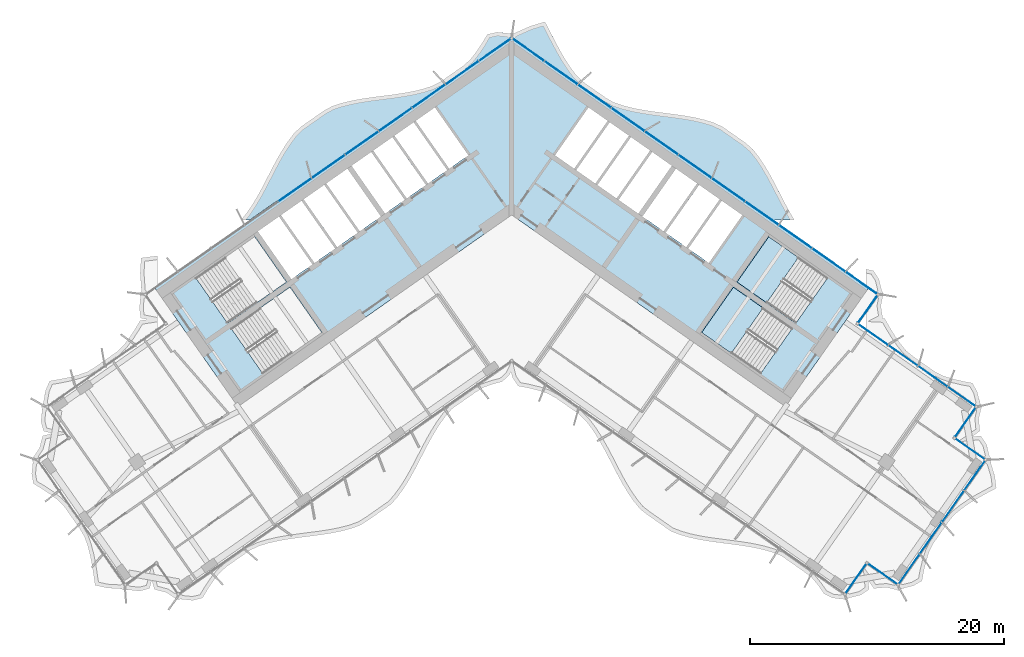
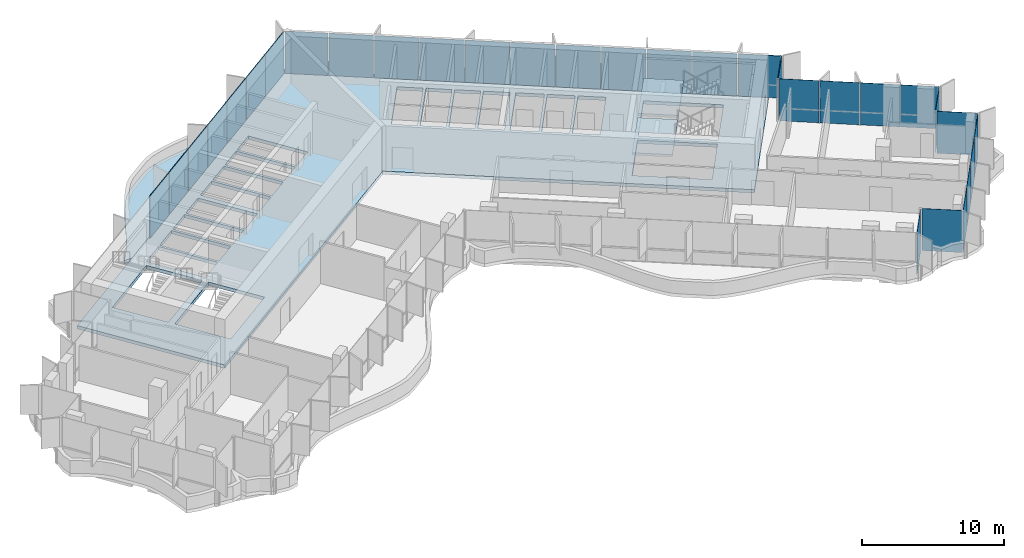
# One storey, part 13 of 23: 31 plates, 4 slabs, 4 elements without a shape of their own.
"""IFC4 building model written with IfcOpenShell, lengths in metres."""

import ifcopenshell
import ifcopenshell.guid

model = None  # the IFC model being written
_history = None  # IfcOwnerHistory: only IFC2X3 demands one
_inside = {}  # id of a spatial element -> (the spatial element, [elements in it])
_under = {}  # id of a project, library or spatial element -> (it, [spatial elements below it])
_declared = {}  # id of a project -> (the project, [libraries it declares])
_typed = {}  # id of a type object -> (the type object, [elements of that type])
_made_of = {}  # id of a material, layer set ... -> (it, [elements and type objects made of it])


def new_model(schema):
    """Start an empty IFC model of exactly this schema.

    Asked for "IFC4X3", IfcOpenShell would pick the latest addendum, in which some entities
    have other attributes; the version numbers below select the first issue.
    IFC2X3 requires an IfcOwnerHistory on every rooted entity: one is made here for all.
    """
    global model, _history
    if schema == "IFC4X3":
        model = ifcopenshell.file(schema_version=(4, 3, 0, 0))
    else:
        model = ifcopenshell.file(schema=schema)
    _inside.clear()
    _under.clear()
    _declared.clear()
    _typed.clear()
    _made_of.clear()
    _history = None
    if model.schema == "IFC2X3":
        org = make("IfcOrganization", Name="unknown")
        user = make(
            "IfcPersonAndOrganization",
            ThePerson=make("IfcPerson", FamilyName="unknown"),
            TheOrganization=org,
        )
        app = make(
            "IfcApplication",
            ApplicationDeveloper=org,
            Version="unknown",
            ApplicationFullName="unknown",
            ApplicationIdentifier="unknown",
        )
        _history = make(
            "IfcOwnerHistory",
            OwningUser=user,
            OwningApplication=app,
            ChangeAction="ADDED",
            CreationDate=0,
        )
    return model


def make(cls, **values):
    """One entity of the class cls with the attributes given. An attribute that is None is left unset."""
    return model.create_entity(
        cls, **{name: value for name, value in values.items() if value is not None}
    )


def rooted(cls, **values):
    """An entity with a GlobalId (a new one), such as an element, a storey or a relation."""
    return make(cls, GlobalId=ifcopenshell.guid.new(), OwnerHistory=_history, **values)


def si_unit(unit_type, name, prefix=None):
    """IfcSIUnit, for example si_unit("LENGTHUNIT", "METRE", prefix="MILLI")."""
    return make("IfcSIUnit", UnitType=unit_type, Prefix=prefix, Name=name)


def assignment(units):
    """IfcUnitAssignment: the units of a project."""
    return None if units is None else make("IfcUnitAssignment", Units=units)


def point(xyz):
    """IfcCartesianPoint."""
    return None if xyz is None else make("IfcCartesianPoint", Coordinates=xyz)


def direction(xyz):
    """IfcDirection."""
    return None if xyz is None else make("IfcDirection", DirectionRatios=xyz)


def frame(location, z_axis=None, x_axis=None):
    """IfcAxis2Placement3D, a coordinate frame: its origin and axes. An axis left out is left unset."""
    return make(
        "IfcAxis2Placement3D",
        Location=point(location),
        Axis=direction(z_axis),
        RefDirection=direction(x_axis),
    )


def frame_2d(location, x_axis=None):
    """IfcAxis2Placement2D, a coordinate frame in the plane: its origin and x axis."""
    return make(
        "IfcAxis2Placement2D", Location=point(location), RefDirection=direction(x_axis)
    )


def origin():
    """The frame at (0, 0, 0) with its axes left unset."""
    return frame((0.0, 0.0, 0.0))


def origin_2d():
    """The frame at (0, 0) in the plane with its x axis left unset."""
    return frame_2d((0.0, 0.0))


def place(relative_to, where):
    """IfcLocalPlacement: puts the frame where relative to a parent placement (None: the world)."""
    return make(
        "IfcLocalPlacement", PlacementRelTo=relative_to, RelativePlacement=where
    )


def context(
    kind, dimensions, precision=None, world=None, true_north=None, identifier=None
):
    """IfcGeometricRepresentationContext, for example the 3D "Model" context."""
    return make(
        "IfcGeometricRepresentationContext",
        ContextIdentifier=identifier,
        ContextType=kind,
        CoordinateSpaceDimension=dimensions,
        Precision=precision,
        WorldCoordinateSystem=world,
        TrueNorth=true_north,
    )


def subcontext(parent, identifier, kind, view, scale=None):
    """IfcGeometricRepresentationSubContext, for example "Body" below "Model"."""
    return make(
        "IfcGeometricRepresentationSubContext",
        ContextIdentifier=identifier,
        ContextType=kind,
        ParentContext=parent,
        TargetScale=scale,
        TargetView=view,
    )


def project(units=None, contexts=None):
    """IfcProject with its units and contexts."""
    return rooted(
        "IfcProject",
        Name="project",
        RepresentationContexts=contexts,
        UnitsInContext=assignment(units),
    )


def spatial(cls, under=None, at=None, **own):
    """A site, building, storey or space (cls), placed at a placement, below another one or the project."""
    s = rooted(cls, ObjectPlacement=at, **own)
    if under is not None:
        _under.setdefault(under.id(), (under, []))[1].append(s)
    return s


def polyline(points):
    """IfcPolyline through the points."""
    return make("IfcPolyline", Points=[point(p) for p in points])


def profile(cls, at=None, kind="AREA", **sizes):
    """A parametric profile (cls). Its sizes go by their IFC names, for example OverallWidth=200.0."""
    return make(cls, ProfileType=kind, Position=at, **sizes)


def rectangle(**sizes):
    """IfcRectangleProfileDef."""
    return profile("IfcRectangleProfileDef", **sizes)


def outline(outer, holes=None, kind="AREA"):
    """IfcArbitraryClosedProfileDef: a profile drawn as a closed curve; with holes, ...WithVoids."""
    if holes is None:
        return make("IfcArbitraryClosedProfileDef", ProfileType=kind, OuterCurve=outer)
    return make(
        "IfcArbitraryProfileDefWithVoids",
        ProfileType=kind,
        OuterCurve=outer,
        InnerCurves=holes,
    )


def extrude(swept, where, along, depth):
    """IfcExtrudedAreaSolid: the profile swept, set in the frame where, extruded along a direction by depth."""
    return make(
        "IfcExtrudedAreaSolid",
        SweptArea=swept,
        Position=where,
        ExtrudedDirection=direction(along),
        Depth=depth,
    )


def shape(context_of_items, identifier, shape_type, items):
    """IfcShapeRepresentation: the items that make up one representation, for example the "Body"."""
    return make(
        "IfcShapeRepresentation",
        ContextOfItems=context_of_items,
        RepresentationIdentifier=identifier,
        RepresentationType=shape_type,
        Items=items,
    )


def material(Name=None, Category=None):
    """IfcMaterial."""
    return make("IfcMaterial", Name=Name, Category=Category)


def layer(
    of_material, thickness, ventilated=None, Name=None, Category=None, Priority=None
):
    """IfcMaterialLayer: one layer of a wall or slab, of a material (None: an air gap)."""
    return make(
        "IfcMaterialLayer",
        Material=of_material,
        LayerThickness=thickness,
        IsVentilated=ventilated,
        Name=Name,
        Category=Category,
        Priority=Priority,
    )


def layer_set(layers, Name=None):
    """IfcMaterialLayerSet."""
    return make("IfcMaterialLayerSet", MaterialLayers=layers, LayerSetName=Name)


def made_of(thing, what):
    """Note that an element or type object is made of a material, layer set ...; save() writes the relation."""
    if what is not None:
        _made_of.setdefault(what.id(), (what, []))[1].append(thing)
    return thing


def type_object(cls, material=None, **own):
    """A type object (cls), such as IfcWallType, which elements share."""
    return made_of(rooted(cls, **own), material)


def element(
    cls,
    number,
    at=None,
    inside=None,
    cuts=None,
    type_object=None,
    material=None,
    context=None,
    identifier="Body",
    shape_type=None,
    held_by="IfcProductDefinitionShape",
    body=None,
    shapes=None,
    **own,
):
    """One element of the class cls, such as IfcWall. Its Tag is "e" and its number.

    at: its placement. inside: the storey or other place that contains it. cuts: it is an
    opening in that element (IfcRelVoidsElement). A single representation is given by context,
    identifier, shape_type and body (its items); several are given by shapes. held_by: the class
    of the entity that holds the representations. save() writes the other relations.
    """
    e = rooted(cls, Tag="e%d" % number, ObjectPlacement=at, **own)
    if body is not None:
        shapes = [shape(context, identifier, shape_type, body)]
    if shapes is not None:
        e.Representation = make(held_by, Representations=shapes)
    if inside is not None:
        _inside.setdefault(inside.id(), (inside, []))[1].append(e)
    if cuts is not None:
        rooted(
            "IfcRelVoidsElement", RelatingBuildingElement=cuts, RelatedOpeningElement=e
        )
    if type_object is not None:
        _typed.setdefault(type_object.id(), (type_object, []))[1].append(e)
    return made_of(e, material)


def aggregate(whole, parts):
    """IfcRelAggregates: a whole, such as a stair, and the parts it consists of."""
    return rooted("IfcRelAggregates", RelatingObject=whole, RelatedObjects=parts)


def save(model, path):
    """Write the relations noted so far, then the file.

    IfcRelAggregates (storeys below a building ...), IfcRelContainedInSpatialStructure (elements
    in a storey), IfcRelDefinesByType, IfcRelAssociatesMaterial and IfcRelDeclares: one each for
    every whole, place, type object, material and project.
    """
    for whole, parts in _under.values():
        aggregate(whole, parts)
    for where, things in _inside.values():
        rooted(
            "IfcRelContainedInSpatialStructure",
            RelatedElements=things,
            RelatingStructure=where,
        )
    for kind, things in _typed.values():
        rooted("IfcRelDefinesByType", RelatedObjects=things, RelatingType=kind)
    for what, things in _made_of.values():
        rooted("IfcRelAssociatesMaterial", RelatedObjects=things, RelatingMaterial=what)
    for by, libraries in _declared.values():
        rooted("IfcRelDeclares", RelatingContext=by, RelatedDefinitions=libraries)
    model.write(path)


model = new_model("IFC4")

# Units and contexts
model_context = context("Model", 3, precision=1e-05, world=origin(), true_north=direction((0.0, 1.0)))
body_context = subcontext(model_context, "Body", "Model", "MODEL_VIEW")
ifc_project = project(units=[si_unit("LENGTHUNIT", "METRE"), si_unit("AREAUNIT", "SQUARE_METRE"), si_unit("VOLUMEUNIT", "CUBIC_METRE"), si_unit("PLANEANGLEUNIT", "RADIAN"), si_unit("MASSUNIT", "GRAM", prefix="KILO")], contexts=[model_context])

# Site, building, storey
site_placement = place(None, origin())
site = spatial("IfcSite", under=ifc_project, at=site_placement, CompositionType="ELEMENT")
building_placement = place(site_placement, origin())
building = spatial("IfcBuilding", under=site, at=building_placement, Name="Tel Ilan Convention Tower", CompositionType="ELEMENT")
storey_placement = place(building_placement, frame((0.0, 0.0, 171.0)))
storey = spatial("IfcBuildingStorey", under=building, at=storey_placement, Name="L39", CompositionType="ELEMENT", Elevation=171.0)

# Curtain wall, plates
ifc_material_1 = material(Name="Aluminium, bronze anodised", Category="aluminium")
curtain_wall_type_1 = type_object("IfcCurtainWallType", Name="CW4 STICK CURTAIN WALL, OFFICE TINTED GLASS", PredefinedType="NOTDEFINED", material=ifc_material_1)
curtain_wall_1_placement = place(storey_placement, origin())
curtain_wall_1 = element("IfcCurtainWall", 1, at=curtain_wall_1_placement, inside=storey, type_object=curtain_wall_type_1, Name="Curtain wall CW4-31.02", PredefinedType="NOTDEFINED")
ifc_material_2 = material(Name="Glass, bronze tinted, two-ply", Category="glass")
ifc_layer_1 = layer(ifc_material_2, 0.028076171875)
ifc_layer_set_1 = layer_set([ifc_layer_1], Name="CW GLASS PANEL 28")
plate_type_1 = type_object("IfcPlateType", Name="CW GLASS PANEL 28", PredefinedType="CURTAIN_PANEL", material=ifc_layer_set_1)
plate_1_placement = place(storey_placement, frame((27.065673828125, -29.863525390625, 0.0), z_axis=(0.0, 0.0, 1.0), x_axis=(0.573576436351, 0.819152044289, 0.0)))
plate_1 = element("IfcPlate", 2, at=plate_1_placement, type_object=plate_type_1, Name="Glass panel", PredefinedType="CURTAIN_PANEL", context=body_context, shape_type="SweptSolid", body=[
    extrude(rectangle(XDim=2.875, YDim=0.028076171875, at=origin_2d()), origin(), (0.0, 0.0, 1.0), 3.6201171875),
])
plate_2_placement = place(storey_placement, frame((29.20849609375, -29.48583984375, 0.0), z_axis=(0.0, 0.0, 1.0), x_axis=(0.819152044289, -0.573576436351, 0.0)))
plate_2 = element("IfcPlate", 3, at=plate_2_placement, type_object=plate_type_1, Name="Glass panel", PredefinedType="CURTAIN_PANEL", context=body_context, shape_type="SweptSolid", body=[
    extrude(rectangle(XDim=2.875, YDim=0.028076171875, at=origin_2d()), origin(), (0.0, 0.0, 1.0), 3.6201171875),
])
plate_3_placement = place(storey_placement, frame((31.25, -29.1181640625, 0.0), z_axis=(0.0, 0.0, 1.0), x_axis=(0.573576436351, 0.819152044289, 0.0)))
plate_3 = element("IfcPlate", 4, at=plate_3_placement, type_object=plate_type_1, Name="Glass panel", PredefinedType="CURTAIN_PANEL", context=body_context, shape_type="SweptSolid", body=[
    extrude(rectangle(XDim=2.89599609375, YDim=0.028076171875, at=origin_2d()), origin(), (0.0, 0.0, 1.0), 3.6201171875),
])
plate_4_placement = place(storey_placement, frame((32.972412109375, -26.658203125, 0.0), z_axis=(0.0, 0.0, 1.0), x_axis=(0.573576436351, 0.819152044289, 0.0)))
plate_4 = element("IfcPlate", 5, at=plate_4_placement, type_object=plate_type_1, Name="Glass panel", PredefinedType="CURTAIN_PANEL", context=body_context, shape_type="SweptSolid", body=[
    extrude(rectangle(XDim=2.989990234375, YDim=0.028076171875, at=origin_2d()), origin(), (0.0, 0.0, 1.0), 3.6201171875),
])
plate_5_placement = place(storey_placement, frame((34.721923828125, -24.159912109375, 0.0), z_axis=(0.0, 0.0, 1.0), x_axis=(0.573576436351, 0.819152044289, 0.0)))
plate_5 = element("IfcPlate", 6, at=plate_5_placement, type_object=plate_type_1, Name="Glass panel", PredefinedType="CURTAIN_PANEL", context=body_context, shape_type="SweptSolid", body=[
    extrude(rectangle(XDim=2.989990234375, YDim=0.028076171875, at=origin_2d()), origin(), (0.0, 0.0, 1.0), 3.6201171875),
])
plate_6_placement = place(storey_placement, frame((36.4443359375, -21.699951171875, 0.0), z_axis=(0.0, 0.0, 1.0), x_axis=(0.573576436351, 0.819152044289, 0.0)))
plate_6 = element("IfcPlate", 7, at=plate_6_placement, type_object=plate_type_1, Name="Glass panel", PredefinedType="CURTAIN_PANEL", context=body_context, shape_type="SweptSolid", body=[
    extrude(rectangle(XDim=2.89599609375, YDim=0.028076171875, at=origin_2d()), origin(), (0.0, 0.0, 1.0), 3.6201171875),
])
plate_7_placement = place(storey_placement, frame((36.09130859375, -19.656005859375, 0.0), z_axis=(0.0, 0.0, 1.0), x_axis=(-0.819152044289, 0.573576436351, 0.0)))
plate_7 = element("IfcPlate", 8, at=plate_7_placement, type_object=plate_type_1, Name="Glass panel", PredefinedType="CURTAIN_PANEL", context=body_context, shape_type="SweptSolid", body=[
    extrude(rectangle(XDim=2.875, YDim=0.028076171875, at=origin_2d()), origin(), (0.0, 0.0, 1.0), 3.6201171875),
])
plate_8_placement = place(storey_placement, frame((35.713623046875, -17.51318359375, 0.0), z_axis=(0.0, 0.0, 1.0), x_axis=(0.573576436351, 0.819152044289, 0.0)))
plate_8 = element("IfcPlate", 9, at=plate_8_placement, type_object=plate_type_1, Name="Glass panel", PredefinedType="CURTAIN_PANEL", context=body_context, shape_type="SweptSolid", body=[
    extrude(rectangle(XDim=2.875, YDim=0.028076171875, at=origin_2d()), origin(), (0.0, 0.0, 1.0), 3.6201171875),
])
plate_9_placement = place(storey_placement, frame((35.427978515625, -15.529052734375, 0.0), z_axis=(0.0, 0.0, 1.0), x_axis=(-0.819152044289, 0.573576436351, 0.0)))
plate_9 = element("IfcPlate", 10, at=plate_9_placement, type_object=plate_type_1, Name="Glass panel", PredefinedType="CURTAIN_PANEL", context=body_context, shape_type="SweptSolid", body=[
    extrude(rectangle(XDim=2.696044921875, YDim=0.028076171875, at=origin_2d()), origin(), (0.0, 0.0, 1.0), 3.6201171875),
])
plate_10_placement = place(storey_placement, frame((33.1318359375, -13.92138671875, 0.0), z_axis=(0.0, 0.0, 1.0), x_axis=(-0.819152044289, 0.573576436351, 0.0)))
plate_10 = element("IfcPlate", 11, at=plate_10_placement, type_object=plate_type_1, Name="Glass panel", PredefinedType="CURTAIN_PANEL", context=body_context, shape_type="SweptSolid", body=[
    extrude(rectangle(XDim=2.7900390625, YDim=0.028076171875, at=origin_2d()), origin(), (0.0, 0.0, 1.0), 3.6201171875),
])
plate_11_placement = place(storey_placement, frame((30.79736328125, -12.28662109375, 0.0), z_axis=(0.0, 0.0, 1.0), x_axis=(-0.819152044289, 0.573576436351, 0.0)))
plate_11 = element("IfcPlate", 12, at=plate_11_placement, type_object=plate_type_1, Name="Glass panel", PredefinedType="CURTAIN_PANEL", context=body_context, shape_type="SweptSolid", body=[
    extrude(rectangle(XDim=2.7900390625, YDim=0.028076171875, at=origin_2d()), origin(), (0.0, 0.0, 1.0), 3.6201171875),
])
plate_12_placement = place(storey_placement, frame((28.450927734375, -10.6435546875, 0.0), z_axis=(0.0, 0.0, 1.0), x_axis=(-0.819152044289, 0.573576436351, 0.0)))
plate_12 = element("IfcPlate", 13, at=plate_12_placement, type_object=plate_type_1, Name="Glass panel", PredefinedType="CURTAIN_PANEL", context=body_context, shape_type="SweptSolid", body=[
    extrude(rectangle(XDim=2.819091796875, YDim=0.028076171875, at=origin_2d()), origin(), (0.0, 0.0, 1.0), 3.6201171875),
])
aggregate(curtain_wall_1, [plate_1, plate_2, plate_3, plate_4, plate_5, plate_6, plate_7, plate_8, plate_9, plate_10, plate_11, plate_12])

ifc_material_3 = material(Name="Aluminium, bronze anodised", Category="aluminium")
curtain_wall_type_2 = type_object("IfcCurtainWallType", Name="CW2 STICK CURTAIN WALL, SPANDREL PANELS", PredefinedType="NOTDEFINED", material=ifc_material_3)
curtain_wall_2_placement = place(storey_placement, origin())
curtain_wall_2 = element("IfcCurtainWall", 14, at=curtain_wall_2_placement, inside=storey, type_object=curtain_wall_type_2, Name="Curtain wall CW2-31.01", PredefinedType="NOTDEFINED")
ifc_material_4 = material(Name="Aluminium composite panel, bronze anodised", Category="aluminium")
ifc_layer_2 = layer(ifc_material_4, 0.06005859375)
ifc_layer_set_2 = layer_set([ifc_layer_2], Name="CW SPANDREL PANEL 60")
plate_type_2 = type_object("IfcPlateType", Name="CW SPANDREL PANEL 60", PredefinedType="CURTAIN_PANEL", material=ifc_layer_set_2)
plate_13_placement = place(storey_placement, frame((28.033935546875, -8.60546875, 0.0), z_axis=(0.0, 0.0, 1.0), x_axis=(0.573576436351, 0.819152044289, 0.0)))
plate_13 = element("IfcPlate", 15, at=plate_13_placement, type_object=plate_type_2, Name="Spandrel panel", PredefinedType="CURTAIN_PANEL", context=body_context, shape_type="SweptSolid", body=[
    extrude(rectangle(XDim=2.658935546875, YDim=0.06005859375, at=origin_2d()), origin(), (0.0, 0.0, 1.0), 3.6201171875),
])
plate_14_placement = place(storey_placement, frame((27.5400390625, -6.587646484375, 0.0), z_axis=(0.0, 0.0, 1.0), x_axis=(-0.819152044289, 0.573576436351, 0.0)))
plate_14 = element("IfcPlate", 16, at=plate_14_placement, type_object=plate_type_2, Name="Spandrel panel", PredefinedType="CURTAIN_PANEL", context=body_context, shape_type="SweptSolid", body=[
    extrude(rectangle(XDim=3.0439453125, YDim=0.06005859375, at=origin_2d()), origin(), (0.0, 0.0, 1.0), 3.6201171875),
])
plate_15_placement = place(storey_placement, frame((24.95263671875, -4.77587890625, 0.0), z_axis=(0.0, 0.0, 1.0), x_axis=(-0.819152044289, 0.573576436351, 0.0)))
plate_15 = element("IfcPlate", 17, at=plate_15_placement, type_object=plate_type_2, Name="Spandrel panel", PredefinedType="CURTAIN_PANEL", context=body_context, shape_type="SweptSolid", body=[
    extrude(rectangle(XDim=3.15380859375, YDim=0.06005859375, at=origin_2d()), origin(), (0.0, 0.0, 1.0), 3.6201171875),
])
plate_16_placement = place(storey_placement, frame((22.31982421875, -2.9326171875, 0.0), z_axis=(0.0, 0.0, 1.0), x_axis=(-0.819152044289, 0.573576436351, 0.0)))
plate_16 = element("IfcPlate", 18, at=plate_16_placement, type_object=plate_type_2, Name="Spandrel panel", PredefinedType="CURTAIN_PANEL", context=body_context, shape_type="SweptSolid", body=[
    extrude(rectangle(XDim=3.15380859375, YDim=0.06005859375, at=origin_2d()), origin(), (0.0, 0.0, 1.0), 3.6201171875),
])
plate_17_placement = place(storey_placement, frame((19.687255859375, -1.089111328125, 0.0), z_axis=(0.0, 0.0, 1.0), x_axis=(-0.819152044289, 0.573576436351, 0.0)))
plate_17 = element("IfcPlate", 19, at=plate_17_placement, type_object=plate_type_2, Name="Spandrel panel", PredefinedType="CURTAIN_PANEL", context=body_context, shape_type="SweptSolid", body=[
    extrude(rectangle(XDim=3.15380859375, YDim=0.06005859375, at=origin_2d()), origin(), (0.0, 0.0, 1.0), 3.6201171875),
])
plate_18_placement = place(storey_placement, frame((17.0546875, 0.754150390625, 0.0), z_axis=(0.0, 0.0, 1.0), x_axis=(-0.819152044289, 0.573576436351, 0.0)))
plate_18 = element("IfcPlate", 20, at=plate_18_placement, type_object=plate_type_2, Name="Spandrel panel", PredefinedType="CURTAIN_PANEL", context=body_context, shape_type="SweptSolid", body=[
    extrude(rectangle(XDim=3.15380859375, YDim=0.06005859375, at=origin_2d()), origin(), (0.0, 0.0, 1.0), 3.6201171875),
])
plate_19_placement = place(storey_placement, frame((14.422119140625, 2.59765625, 0.0), z_axis=(0.0, 0.0, 1.0), x_axis=(-0.819152044289, 0.573576436351, 0.0)))
plate_19 = element("IfcPlate", 21, at=plate_19_placement, type_object=plate_type_2, Name="Spandrel panel", PredefinedType="CURTAIN_PANEL", context=body_context, shape_type="SweptSolid", body=[
    extrude(rectangle(XDim=3.15380859375, YDim=0.06005859375, at=origin_2d()), origin(), (0.0, 0.0, 1.0), 3.6201171875),
])
plate_20_placement = place(storey_placement, frame((11.789306640625, 4.44091796875, 0.0), z_axis=(0.0, 0.0, 1.0), x_axis=(-0.819152044289, 0.573576436351, 0.0)))
plate_20 = element("IfcPlate", 22, at=plate_20_placement, type_object=plate_type_2, Name="Spandrel panel", PredefinedType="CURTAIN_PANEL", context=body_context, shape_type="SweptSolid", body=[
    extrude(rectangle(XDim=3.15380859375, YDim=0.06005859375, at=origin_2d()), origin(), (0.0, 0.0, 1.0), 3.6201171875),
])
plate_21_placement = place(storey_placement, frame((9.15673828125, 6.284423828125, 0.0), z_axis=(0.0, 0.0, 1.0), x_axis=(-0.819152044289, 0.573576436351, 0.0)))
plate_21 = element("IfcPlate", 23, at=plate_21_placement, type_object=plate_type_2, Name="Spandrel panel", PredefinedType="CURTAIN_PANEL", context=body_context, shape_type="SweptSolid", body=[
    extrude(rectangle(XDim=3.15380859375, YDim=0.06005859375, at=origin_2d()), origin(), (0.0, 0.0, 1.0), 3.6201171875),
])
plate_22_placement = place(storey_placement, frame((6.524169921875, 8.127685546875, 0.0), z_axis=(0.0, 0.0, 1.0), x_axis=(-0.819152044289, 0.573576436351, 0.0)))
plate_22 = element("IfcPlate", 24, at=plate_22_placement, type_object=plate_type_2, Name="Spandrel panel", PredefinedType="CURTAIN_PANEL", context=body_context, shape_type="SweptSolid", body=[
    extrude(rectangle(XDim=3.15380859375, YDim=0.06005859375, at=origin_2d()), origin(), (0.0, 0.0, 1.0), 3.6201171875),
])
plate_23_placement = place(storey_placement, frame((3.8916015625, 9.97119140625, 0.0), z_axis=(0.0, 0.0, 1.0), x_axis=(-0.819152044289, 0.573576436351, 0.0)))
plate_23 = element("IfcPlate", 25, at=plate_23_placement, type_object=plate_type_2, Name="Spandrel panel", PredefinedType="CURTAIN_PANEL", context=body_context, shape_type="SweptSolid", body=[
    extrude(rectangle(XDim=3.15380859375, YDim=0.06005859375, at=origin_2d()), origin(), (0.0, 0.0, 1.0), 3.6201171875),
])
plate_24_placement = place(storey_placement, frame((1.303955078125, 11.782958984375, 0.0), z_axis=(0.0, 0.0, 1.0), x_axis=(-0.819152044289, 0.573576436351, 0.0)))
plate_24 = element("IfcPlate", 26, at=plate_24_placement, type_object=plate_type_2, Name="Spandrel panel", PredefinedType="CURTAIN_PANEL", context=body_context, shape_type="SweptSolid", body=[
    extrude(rectangle(XDim=3.0439453125, YDim=0.06005859375, at=origin_2d()), origin(), (0.0, 0.0, 1.0), 3.6201171875),
])
plate_25_placement = place(storey_placement, frame((-1.303955078125, 11.782958984375, 0.0), z_axis=(0.0, 0.0, 1.0), x_axis=(-0.819152044289, -0.573576436351, 0.0)))
plate_25 = element("IfcPlate", 27, at=plate_25_placement, type_object=plate_type_2, Name="Spandrel panel", PredefinedType="CURTAIN_PANEL", context=body_context, shape_type="SweptSolid", body=[
    extrude(rectangle(XDim=3.0439453125, YDim=0.06005859375, at=origin_2d()), origin(), (0.0, 0.0, 1.0), 3.6201171875),
])
plate_26_placement = place(storey_placement, frame((-3.8916015625, 9.97119140625, 0.0), z_axis=(0.0, 0.0, 1.0), x_axis=(-0.819152044289, -0.573576436351, 0.0)))
plate_26 = element("IfcPlate", 28, at=plate_26_placement, type_object=plate_type_2, Name="Spandrel panel", PredefinedType="CURTAIN_PANEL", context=body_context, shape_type="SweptSolid", body=[
    extrude(rectangle(XDim=3.15380859375, YDim=0.06005859375, at=origin_2d()), origin(), (0.0, 0.0, 1.0), 3.6201171875),
])
plate_27_placement = place(storey_placement, frame((-6.524169921875, 8.127685546875, 0.0), z_axis=(0.0, 0.0, 1.0), x_axis=(-0.819152044289, -0.573576436351, 0.0)))
plate_27 = element("IfcPlate", 29, at=plate_27_placement, type_object=plate_type_2, Name="Spandrel panel", PredefinedType="CURTAIN_PANEL", context=body_context, shape_type="SweptSolid", body=[
    extrude(rectangle(XDim=3.15380859375, YDim=0.06005859375, at=origin_2d()), origin(), (0.0, 0.0, 1.0), 3.6201171875),
])
plate_28_placement = place(storey_placement, frame((-9.15673828125, 6.284423828125, 0.0), z_axis=(0.0, 0.0, 1.0), x_axis=(-0.819152044289, -0.573576436351, 0.0)))
plate_28 = element("IfcPlate", 30, at=plate_28_placement, type_object=plate_type_2, Name="Spandrel panel", PredefinedType="CURTAIN_PANEL", context=body_context, shape_type="SweptSolid", body=[
    extrude(rectangle(XDim=3.15380859375, YDim=0.06005859375, at=origin_2d()), origin(), (0.0, 0.0, 1.0), 3.6201171875),
])
plate_29_placement = place(storey_placement, frame((-11.789306640625, 4.44091796875, 0.0), z_axis=(0.0, 0.0, 1.0), x_axis=(-0.819152044289, -0.573576436351, 0.0)))
plate_29 = element("IfcPlate", 31, at=plate_29_placement, type_object=plate_type_2, Name="Spandrel panel", PredefinedType="CURTAIN_PANEL", context=body_context, shape_type="SweptSolid", body=[
    extrude(rectangle(XDim=3.15380859375, YDim=0.06005859375, at=origin_2d()), origin(), (0.0, 0.0, 1.0), 3.6201171875),
])
plate_30_placement = place(storey_placement, frame((-14.422119140625, 2.59765625, 0.0), z_axis=(0.0, 0.0, 1.0), x_axis=(-0.819152044289, -0.573576436351, 0.0)))
plate_30 = element("IfcPlate", 32, at=plate_30_placement, type_object=plate_type_2, Name="Spandrel panel", PredefinedType="CURTAIN_PANEL", context=body_context, shape_type="SweptSolid", body=[
    extrude(rectangle(XDim=3.15380859375, YDim=0.06005859375, at=origin_2d()), origin(), (0.0, 0.0, 1.0), 3.6201171875),
])
plate_31_placement = place(storey_placement, frame((-17.0546875, 0.754150390625, 0.0), z_axis=(0.0, 0.0, 1.0), x_axis=(-0.819152044289, -0.573576436351, 0.0)))
plate_31 = element("IfcPlate", 33, at=plate_31_placement, type_object=plate_type_2, Name="Spandrel panel", PredefinedType="CURTAIN_PANEL", context=body_context, shape_type="SweptSolid", body=[
    extrude(rectangle(XDim=3.15380859375, YDim=0.06005859375, at=origin_2d()), origin(), (0.0, 0.0, 1.0), 3.6201171875),
])
aggregate(curtain_wall_2, [plate_13, plate_14, plate_15, plate_16, plate_17, plate_18, plate_19, plate_20, plate_21, plate_22, plate_23, plate_24, plate_25, plate_26, plate_27, plate_28, plate_29, plate_30, plate_31])

# Stair, slab
ifc_material_5 = material(Name="Concrete C40/50", Category="concrete")
stair_type = type_object("IfcStairType", Name="Pressurised Exit Stair 22 risers 177 mm", PredefinedType="HALF_TURN_STAIR", material=ifc_material_5)
stair_1_placement = place(storey_placement, origin())
stair_1 = element("IfcStair", 34, at=stair_1_placement, inside=storey, type_object=stair_type, Name="L39 Pressurised Stair S3", PredefinedType="HALF_TURN_STAIR")
ifc_material_6 = material(Name="Concrete C40/50", Category="concrete")
ifc_layer_3 = layer(ifc_material_6, 0.199951171875)
ifc_layer_set_3 = layer_set([ifc_layer_3], Name="Concrete Stair Landing 200 mm C40/50")
slab_type_1 = type_object("IfcSlabType", Name="Concrete Stair Landing 200 mm", PredefinedType="LANDING", material=ifc_layer_set_3)
slab_1_placement = place(storey_placement, frame((0.0, 0.0, 1.75)))
slab_1 = element("IfcSlab", 35, at=slab_1_placement, type_object=slab_type_1, Name="S3 landing 1", PredefinedType="LANDING", context=body_context, shape_type="SweptSolid", body=[
    extrude(outline(polyline([(22.561767578125, -4.566650390625), (20.226318359375, -2.931640625), (17.7314453125, -6.494873046875), (20.066650390625, -8.130126953125), (22.561767578125, -4.566650390625)])), origin(), (0.0, 0.0, 1.0), 0.199951171875),
])
aggregate(stair_1, [slab_1])

stair_2_placement = place(storey_placement, origin())
stair_2 = element("IfcStair", 36, at=stair_2_placement, inside=storey, type_object=stair_type, Name="L39 Pressurised Stair S4", PredefinedType="HALF_TURN_STAIR")
slab_2_placement = place(storey_placement, frame((0.0, 0.0, 1.75)))
slab_2 = element("IfcSlab", 37, at=slab_2_placement, type_object=slab_type_1, Name="S4 landing 1", PredefinedType="LANDING", context=body_context, shape_type="SweptSolid", body=[
    extrude(outline(polyline([(19.77978515625, -8.53955078125), (17.444580078125, -6.904541015625), (14.949462890625, -10.4677734375), (17.28466796875, -12.10302734375), (19.77978515625, -8.53955078125)])), origin(), (0.0, 0.0, 1.0), 0.199951171875),
])
aggregate(stair_2, [slab_2])

# Slabs
ifc_material_7 = material(Name="Concrete C40/50", Category="concrete")
ifc_layer_4 = layer(ifc_material_7, 0.280029296875)
ifc_layer_set_4 = layer_set([ifc_layer_4], Name="Core Floor Slab 280 mm C40/50")
slab_type_2 = type_object("IfcSlabType", Name="Core Floor Slab 280 mm C40/50", PredefinedType="FLOOR", material=ifc_layer_set_4)
slab_3_placement = place(storey_placement, frame((0.0, 0.0, -0.280029296875)))
element("IfcSlab", 38, at=slab_3_placement, inside=storey, type_object=slab_type_2, Name="L39 core floor 1", PredefinedType="FLOOR", context=body_context, shape_type="SweptSolid", body=[
    extrude(outline(polyline([(-28.1396484375, -6.885498046875), (0.0, 12.818115234375), (28.1396484375, -6.885498046875), (21.54345703125, -16.3056640625), (0.0, -1.220703125), (-21.54345703125, -16.3056640625), (-28.1396484375, -6.885498046875)]), holes=[polyline([(-14.949462890625, -10.4677734375), (-17.444580078125, -6.904541015625), (-22.072021484375, -10.144775390625), (-19.5771484375, -13.7080078125), (-14.949462890625, -10.4677734375)]), polyline([(-17.7314453125, -6.494873046875), (-20.226318359375, -2.931640625), (-24.85400390625, -6.171875), (-22.35888671875, -9.735107421875), (-17.7314453125, -6.494873046875)]), polyline([(-18.313720703125, -1.34814453125), (-19.972412109375, -2.509521484375), (-17.333984375, -6.277587890625), (-15.67529296875, -5.1162109375), (-18.313720703125, -1.34814453125)]), polyline([(-16.531982421875, -0.1005859375), (-18.14990234375, -1.2333984375), (-15.511474609375, -5.00146484375), (-13.8935546875, -3.86865234375), (-16.531982421875, -0.1005859375)]), polyline([(-14.75048828125, 1.14697265625), (-16.368408203125, 0.01416015625), (-13.729736328125, -3.75390625), (-12.112060546875, -2.62109375), (-14.75048828125, 1.14697265625)]), polyline([(-12.927734375, 2.423095703125), (-14.586669921875, 1.26171875), (-11.947998046875, -2.506591796875), (-10.289306640625, -1.344970703125), (-12.927734375, 2.423095703125)]), polyline([(-11.053955078125, 3.735107421875), (-12.60009765625, 2.652587890625), (-9.961669921875, -1.115478515625), (-8.41552734375, -0.032958984375), (-11.053955078125, 3.735107421875)]), polyline([(-6.74658203125, 1.1357421875), (-9.385009765625, 4.90380859375), (-10.89013671875, 3.849853515625), (-8.251708984375, 0.081787109375), (-6.74658203125, 1.1357421875)]), polyline([(-5.077392578125, 2.304443359375), (-7.716064453125, 6.072509765625), (-9.22119140625, 5.0185546875), (-6.582763671875, 1.25048828125), (-5.077392578125, 2.304443359375)]), polyline([(-6.046875, 7.2412109375), (-7.552001953125, 6.187255859375), (-4.913818359375, 2.419189453125), (-3.408447265625, 3.47314453125), (-6.046875, 7.2412109375)]), polyline([(17.444580078125, -6.904541015625), (14.949462890625, -10.4677734375), (19.5771484375, -13.7080078125), (22.072021484375, -10.144775390625), (17.444580078125, -6.904541015625)]), polyline([(20.226318359375, -2.931640625), (17.7314453125, -6.494873046875), (22.35888671875, -9.735107421875), (24.85400390625, -6.171875), (20.226318359375, -2.931640625)]), polyline([(13.8935546875, -3.86865234375), (15.511474609375, -5.00146484375), (18.14990234375, -1.2333984375), (16.531982421875, -0.1005859375), (13.8935546875, -3.86865234375)]), polyline([(12.112060546875, -2.62109375), (13.729736328125, -3.75390625), (16.368408203125, 0.01416015625), (14.75048828125, 1.14697265625), (12.112060546875, -2.62109375)]), polyline([(11.947998046875, -2.506591796875), (14.586669921875, 1.26171875), (12.927734375, 2.423095703125), (10.289306640625, -1.344970703125), (11.947998046875, -2.506591796875)]), polyline([(9.961669921875, -1.115478515625), (12.60009765625, 2.652587890625), (11.053955078125, 3.735107421875), (8.41552734375, -0.032958984375), (9.961669921875, -1.115478515625)]), polyline([(8.251708984375, 0.081787109375), (10.89013671875, 3.849853515625), (9.385009765625, 4.90380859375), (6.74658203125, 1.1357421875), (8.251708984375, 0.081787109375)]), polyline([(5.077392578125, 2.304443359375), (6.582763671875, 1.25048828125), (9.22119140625, 5.0185546875), (7.716064453125, 6.072509765625), (5.077392578125, 2.304443359375)]), polyline([(3.408447265625, 3.47314453125), (4.913818359375, 2.419189453125), (7.552001953125, 6.187255859375), (6.046875, 7.2412109375), (3.408447265625, 3.47314453125)])]), origin(), (0.0, 0.0, 1.0), 0.280029296875),
])
ifc_material_8 = material(Name="Concrete C40/50", Category="concrete")
ifc_layer_5 = layer(ifc_material_8, 0.280029296875)
ifc_layer_set_5 = layer_set([ifc_layer_5], Name="Edge Ledge Slab 280 mm C40/50")
slab_type_3 = type_object("IfcSlabType", Name="Edge Ledge Slab 280 mm C40/50", PredefinedType="FLOOR", material=ifc_layer_set_5)
slab_4_placement = place(storey_placement, frame((0.0, 0.0, -0.280029296875)))
element("IfcSlab", 39, at=slab_4_placement, inside=storey, type_object=slab_type_3, Name="L39 edge ledge 2", PredefinedType="FLOOR", context=body_context, shape_type="SweptSolid", body=[
    extrude(outline(polyline([(-19.60009765625, 1.004150390625), (-19.217529296875, 1.741943359375), (-18.83642578125, 2.481689453125), (-18.44677734375, 3.209228515625), (-18.0390625, 3.910888671875), (-17.604736328125, 4.574951171875), (-17.13671875, 5.190185546875), (-16.6015625, 5.71044921875), (-14.791748046875, 6.977783203125), (-14.1416015625, 7.33349609375), (-13.41064453125, 7.573486328125), (-12.644287109375, 7.76318359375), (-11.849853515625, 7.91259765625), (-11.03564453125, 8.033935546875), (-10.211181640625, 8.140380859375), (-9.385986328125, 8.24609375), (-8.570068359375, 8.36474609375), (-7.7724609375, 8.509765625), (-7.002197265625, 8.693603515625), (-6.26611328125, 8.926513671875), (-5.601806640625, 9.261962890625), (-3.7919921875, 10.529296875), (-3.2421875, 11.0283203125), (-2.769287109375, 11.63671875), (-2.3310546875, 12.294921875), (-1.919921875, 12.991943359375), (-1.14208984375, 13.1650390625), (-0.172119140625, 13.06396484375), (-0.168701171875, 13.05908203125), (-0.11474609375, 13.09521484375), (0.0, 13.1181640625), (0.11474609375, 13.09521484375), (0.168701171875, 13.05908203125), (0.172119140625, 13.06396484375), (1.4794921875, 13.647216796875), (2.6162109375, 13.986328125), (3.000244140625, 13.250732421875), (3.38134765625, 12.510986328125), (3.770263671875, 11.7822265625), (4.176513671875, 11.078369140625), (4.608642578125, 10.41162109375), (5.074462890625, 9.792724609375), (5.601806640625, 9.261962890625), (7.411865234375, 7.99462890625), (8.054931640625, 7.62890625), (8.783447265625, 7.385498046875), (9.547607421875, 7.19287109375), (10.340576171875, 7.041015625), (11.15380859375, 6.91845703125), (11.977783203125, 6.811279296875), (12.80322265625, 6.7060546875), (13.6201171875, 6.588623046875), (14.419189453125, 6.44580078125), (15.191650390625, 6.2646484375), (15.929931640625, 6.03515625), (16.6015625, 5.71044921875), (18.41162109375, 4.443115234375), (18.96826171875, 3.9541015625), (19.44384765625, 3.34912109375), (19.884033203125, 2.69384765625), (20.296142578125, 1.998291015625), (20.688720703125, 1.27490234375), (21.07080078125, 0.53662109375), (21.4521484375, -0.202880859375), (21.8427734375, -0.928955078125), (22.25341796875, -1.631591796875), (20.63623046875, -1.631591796875), (0.0, 12.818115234375), (-20.63623046875, -1.631591796875), (-21.30126953125, -1.631591796875), (-20.849609375, -1.0634765625), (-20.4072265625, -0.4111328125), (-19.993408203125, 0.281982421875), (-19.60009765625, 1.004150390625)])), origin(), (0.0, 0.0, 1.0), 0.280029296875),
])

save(model, "model.ifc")
